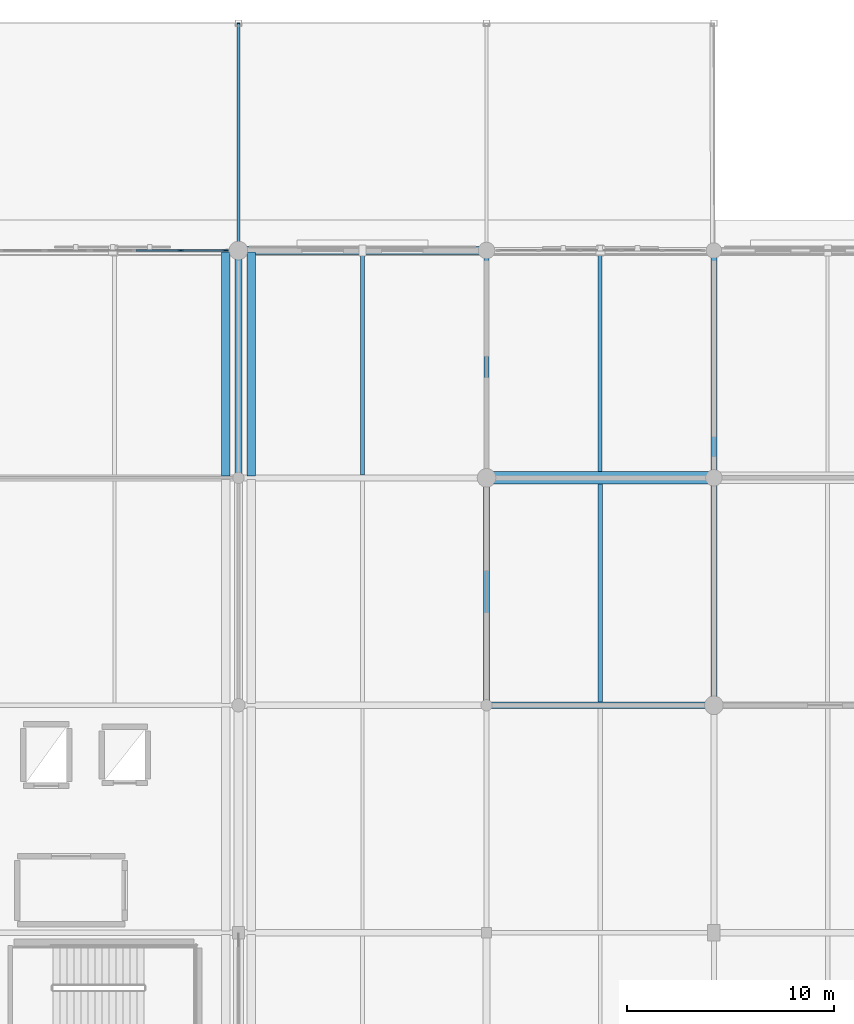
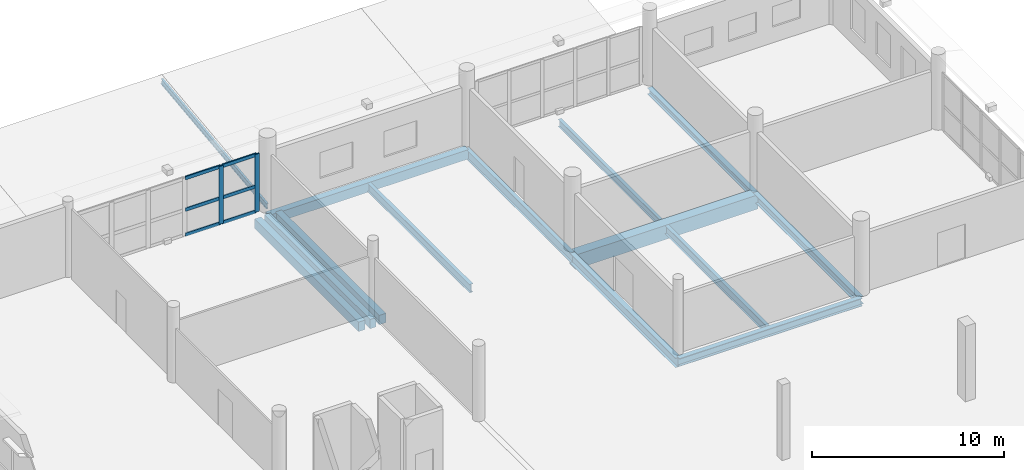
# One storey, part 69 of 143: 14 beams, 8 members, 1 element without a shape of its own.
"""IFC4 building model written with IfcOpenShell, lengths in metres."""

from ifc_helpers import new_model, si_unit, direction, frame, origin, origin_2d, place, context, subcontext, project, spatial, rectangle, i_section, extrude, material, material_profile, profile_set, type_object, element, aggregate, save


model = new_model("IFC4")

# Units and contexts
model_context = context("Model", 3, precision=1e-05, world=origin(), true_north=direction((0.0, 1.0)))
body_context = subcontext(model_context, "Body", "Model", "MODEL_VIEW")
ifc_project = project(units=[si_unit("LENGTHUNIT", "METRE"), si_unit("AREAUNIT", "SQUARE_METRE"), si_unit("VOLUMEUNIT", "CUBIC_METRE"), si_unit("PLANEANGLEUNIT", "RADIAN"), si_unit("MASSUNIT", "GRAM", prefix="KILO")], contexts=[model_context])

# Site, building, storey
site_placement = place(None, origin())
site = spatial("IfcSite", under=ifc_project, at=site_placement, CompositionType="ELEMENT")
building_placement = place(site_placement, origin())
building = spatial("IfcBuilding", under=site, at=building_placement, Name="Luwafu Chhajja Arena", CompositionType="ELEMENT")
storey_placement = place(building_placement, frame((0.0, 0.0, 5.39990234375)))
storey = spatial("IfcBuildingStorey", under=building, at=storey_placement, Name="L01", CompositionType="ELEMENT", Elevation=5.39990234375)

# Beams
ifc_material_1 = material(Name="Concrete C35/45", Category="concrete")
ifc_material_profile_1 = material_profile(ifc_material_1, rectangle(XDim=0.35009765625, YDim=0.60009765625, at=origin_2d()), Name="RC 350x600")
ifc_profile_set_1 = profile_set([ifc_material_profile_1], Name="Concrete C35/45")
beam_type_1 = type_object("IfcBeamType", Name="Arcade Tie Beam RC 350x600", PredefinedType="BEAM", material=ifc_profile_set_1)
beam_1_placement = place(storey_placement, frame((164.0, 110.0, -0.6298828125), z_axis=(0.0, 1.0, 0.0), x_axis=(-1.0, 0.0, 0.0)))
element("IfcBeam", 1, at=beam_1_placement, inside=storey, type_object=beam_type_1, Name="L01 Grid Beam 15/L-M", PredefinedType="BEAM", context=body_context, shape_type="SweptSolid", body=[
    extrude(rectangle(XDim=0.35009765625, YDim=0.60009765625, at=origin_2d()), origin(), (0.0, 0.0, 1.0), 11.0),
])
ifc_material_2 = material(Name="Steel S355", Category="steel")
ifc_material_profile_2 = material_profile(ifc_material_2, i_section(OverallWidth=0.1259765625, OverallDepth=0.353515625, WebThickness=0.006591796875, FlangeThickness=0.0107421875, at=origin_2d()), Name="UB 356x127x39")
ifc_profile_set_2 = profile_set([ifc_material_profile_2], Name="Steel S355")
beam_type_2 = type_object("IfcBeamType", Name="Canopy Joist UB 356x127x39", PredefinedType="JOIST", material=ifc_profile_set_2)
beam_2_placement = place(storey_placement, frame((164.0, 121.0, 0.14013671875), z_axis=(0.0, 0.993088327257, 0.11736939237), x_axis=(-1.0, 0.0, 0.0)))
element("IfcBeam", 2, at=beam_2_placement, inside=storey, type_object=beam_type_2, Name="L01 Cloister Roof Rafter 15/M-N", PredefinedType="JOIST", context=body_context, shape_type="SweptSolid", body=[
    extrude(i_section(OverallWidth=0.1259765625, OverallDepth=0.353515625, WebThickness=0.006591796875, FlangeThickness=0.0107421875, at=origin_2d()), origin(), (0.0, 0.0, 1.0), 11.07666015625),
])
ifc_material_profile_3 = material_profile(ifc_material_1, rectangle(XDim=0.60009765625, YDim=0.89990234375, at=origin_2d()), Name="RC 600x900")
ifc_profile_set_3 = profile_set([ifc_material_profile_3], Name="Concrete C35/45")
beam_type_3 = type_object("IfcBeamType", Name="Concourse Primary Girder RC 600x900", PredefinedType="BEAM", material=ifc_profile_set_3)
beam_3_placement = place(storey_placement, frame((176.0, 110.0, -0.77978515625), z_axis=(1.0, 0.0, 0.0), x_axis=(0.0, 1.0, 0.0)))
element("IfcBeam", 3, at=beam_3_placement, inside=storey, type_object=beam_type_3, Name="L01 Grid Beam 16-17/L", PredefinedType="BEAM", context=body_context, shape_type="SweptSolid", body=[
    extrude(rectangle(XDim=0.60009765625, YDim=0.89990234375, at=origin_2d()), origin(), (0.0, 0.0, 1.0), 11.0),
])
ifc_material_profile_4 = material_profile(ifc_material_2, i_section(OverallWidth=0.19140625, OverallDepth=0.4599609375, WebThickness=0.010009765625, FlangeThickness=0.01611328125, at=origin_2d()), Name="UB 457x191x82")
ifc_profile_set_4 = profile_set([ifc_material_profile_4], Name="Steel S355")
beam_type_4 = type_object("IfcBeamType", Name="Floor Joist UB 457x191x82", PredefinedType="JOIST", material=ifc_profile_set_4)
beam_4_placement = place(storey_placement, frame((181.5, 110.300048828125, -0.559814453125), z_axis=(0.0, 1.0, 0.0), x_axis=(-1.0, 0.0, 0.0)))
element("IfcBeam", 4, at=beam_4_placement, inside=storey, type_object=beam_type_4, Name="L01 Secondary Joist 16-17/L", PredefinedType="JOIST", context=body_context, shape_type="SweptSolid", body=[
    extrude(i_section(OverallWidth=0.19140625, OverallDepth=0.4599609375, WebThickness=0.010009765625, FlangeThickness=0.01611328125, at=origin_2d()), origin(), (0.0, 0.0, 1.0), 10.550048828125),
])
ifc_material_profile_5 = material_profile(ifc_material_2, i_section(OverallWidth=0.209228515625, OverallDepth=0.533203125, WebThickness=0.010009765625, FlangeThickness=0.015625, at=origin_2d()), Name="UB 533x210x92")
ifc_profile_set_5 = profile_set([ifc_material_profile_5], Name="Steel S355")
beam_type_5 = type_object("IfcBeamType", Name="Floor Joist UB 533x210x92", PredefinedType="JOIST", material=ifc_profile_set_5)
beam_5_placement = place(storey_placement, frame((170.0, 110.14990234375, -0.596435546875), z_axis=(0.0, 1.0, 0.0), x_axis=(-1.0, 0.0, 0.0)))
element("IfcBeam", 5, at=beam_5_placement, inside=storey, type_object=beam_type_5, Name="L01 Secondary Joist 15-16/L", PredefinedType="JOIST", context=body_context, shape_type="SweptSolid", body=[
    extrude(i_section(OverallWidth=0.209228515625, OverallDepth=0.533203125, WebThickness=0.010009765625, FlangeThickness=0.015625, at=origin_2d()), origin(), (0.0, 0.0, 1.0), 10.650146484375),
])
beam_6_placement = place(storey_placement, frame((181.5, 99.14990234375, -0.596435546875), z_axis=(0.0, 1.0, 0.0), x_axis=(-1.0, 0.0, 0.0)))
element("IfcBeam", 6, at=beam_6_placement, inside=storey, type_object=beam_type_5, Name="L01 Secondary Joist 16-17/K", PredefinedType="JOIST", context=body_context, shape_type="SweptSolid", body=[
    extrude(i_section(OverallWidth=0.209228515625, OverallDepth=0.533203125, WebThickness=0.010009765625, FlangeThickness=0.015625, at=origin_2d()), origin(), (0.0, 0.0, 1.0), 10.550048828125),
])

# Curtain wall, members
ifc_material_3 = material(Name="Anodised bronze aluminium", Category="aluminium")
curtain_wall_type = type_object("IfcCurtainWallType", Name="Pishtaq Monumental Portal Curtain Wall", PredefinedType="USERDEFINED", material=ifc_material_3)
curtain_wall_placement = place(storey_placement, origin())
curtain_wall = element("IfcCurtainWall", 7, at=curtain_wall_placement, inside=storey, type_object=curtain_wall_type, Name="L01 Curtain Wall CWG-L01-H13_11", ObjectType="CURTAIN WALL", PredefinedType="USERDEFINED")
ifc_material_profile_6 = material_profile(ifc_material_3, rectangle(XDim=0.080078125, YDim=0.280029296875, at=origin_2d()), Name="CWM 80x280")
ifc_profile_set_6 = profile_set([ifc_material_profile_6], Name="Anodised bronze aluminium")
member_type_1 = type_object("IfcMemberType", Name="Pishtaq Portal Mullion 80x280", PredefinedType="MULLION", material=ifc_profile_set_6)
member_1_placement = place(storey_placement, frame((161.2109375, 121.0, 0.030029296875), z_axis=(0.0, 0.0, 1.0), x_axis=(0.0, 1.0, 0.0)))
member_1 = element("IfcMember", 8, at=member_1_placement, type_object=member_type_1, Name="CW-04 mullion 5", PredefinedType="MULLION", context=body_context, shape_type="SweptSolid", body=[
    extrude(rectangle(XDim=0.080078125, YDim=0.280029296875, at=origin_2d()), origin(), (0.0, 0.0, 1.0), 3.675048828125),
])
member_2_placement = place(storey_placement, frame((163.3701171875, 121.0, 0.030029296875), z_axis=(0.0, 0.0, 1.0), x_axis=(0.0, 1.0, 0.0)))
member_2 = element("IfcMember", 9, at=member_2_placement, type_object=member_type_1, Name="CW-04 mullion 6", PredefinedType="MULLION", context=body_context, shape_type="SweptSolid", body=[
    extrude(rectangle(XDim=0.080078125, YDim=0.280029296875, at=origin_2d()), origin(), (0.0, 0.0, 1.0), 3.675048828125),
])
ifc_material_profile_7 = material_profile(ifc_material_3, rectangle(XDim=0.080078125, YDim=0.2099609375, at=origin_2d()), Name="CWT 80x210")
ifc_profile_set_7 = profile_set([ifc_material_profile_7], Name="Anodised bronze aluminium")
member_type_2 = type_object("IfcMemberType", Name="Pishtaq Portal Transom 80x210", PredefinedType="USERDEFINED", material=ifc_profile_set_7)
member_3_placement = place(storey_placement, frame((159.052001953125, 121.0, 0.070068359375), z_axis=(1.0, 0.0, 0.0), x_axis=(0.0, 1.0, 0.0)))
member_3 = element("IfcMember", 10, at=member_3_placement, type_object=member_type_2, Name="CW-04 transom 4.1", ObjectType="TRANSOM", PredefinedType="USERDEFINED", context=body_context, shape_type="SweptSolid", body=[
    extrude(rectangle(XDim=0.080078125, YDim=0.2099609375, at=origin_2d()), origin(), (0.0, 0.0, 1.0), 2.118896484375),
])
member_4_placement = place(storey_placement, frame((159.052001953125, 121.0, 1.66748046875), z_axis=(1.0, 0.0, 0.0), x_axis=(0.0, 1.0, 0.0)))
member_4 = element("IfcMember", 11, at=member_4_placement, type_object=member_type_2, Name="CW-04 transom 4.2", ObjectType="TRANSOM", PredefinedType="USERDEFINED", context=body_context, shape_type="SweptSolid", body=[
    extrude(rectangle(XDim=0.080078125, YDim=0.2099609375, at=origin_2d()), origin(), (0.0, 0.0, 1.0), 2.118896484375),
])
member_5_placement = place(storey_placement, frame((159.052001953125, 121.0, 3.6650390625), z_axis=(1.0, 0.0, 0.0), x_axis=(0.0, 1.0, 0.0)))
member_5 = element("IfcMember", 12, at=member_5_placement, type_object=member_type_2, Name="CW-04 transom 4.3", ObjectType="TRANSOM", PredefinedType="USERDEFINED", context=body_context, shape_type="SweptSolid", body=[
    extrude(rectangle(XDim=0.080078125, YDim=0.2099609375, at=origin_2d()), origin(), (0.0, 0.0, 1.0), 2.118896484375),
])
member_6_placement = place(storey_placement, frame((161.2509765625, 121.0, 0.070068359375), z_axis=(1.0, 0.0, 0.0), x_axis=(0.0, 1.0, 0.0)))
member_6 = element("IfcMember", 13, at=member_6_placement, type_object=member_type_2, Name="CW-04 transom 5.1", ObjectType="TRANSOM", PredefinedType="USERDEFINED", context=body_context, shape_type="SweptSolid", body=[
    extrude(rectangle(XDim=0.080078125, YDim=0.2099609375, at=origin_2d()), origin(), (0.0, 0.0, 1.0), 2.0791015625),
])
member_7_placement = place(storey_placement, frame((161.2509765625, 121.0, 1.66748046875), z_axis=(1.0, 0.0, 0.0), x_axis=(0.0, 1.0, 0.0)))
member_7 = element("IfcMember", 14, at=member_7_placement, type_object=member_type_2, Name="CW-04 transom 5.2", ObjectType="TRANSOM", PredefinedType="USERDEFINED", context=body_context, shape_type="SweptSolid", body=[
    extrude(rectangle(XDim=0.080078125, YDim=0.2099609375, at=origin_2d()), origin(), (0.0, 0.0, 1.0), 2.0791015625),
])
member_8_placement = place(storey_placement, frame((161.2509765625, 121.0, 3.6650390625), z_axis=(1.0, 0.0, 0.0), x_axis=(0.0, 1.0, 0.0)))
member_8 = element("IfcMember", 15, at=member_8_placement, type_object=member_type_2, Name="CW-04 transom 5.3", ObjectType="TRANSOM", PredefinedType="USERDEFINED", context=body_context, shape_type="SweptSolid", body=[
    extrude(rectangle(XDim=0.080078125, YDim=0.2099609375, at=origin_2d()), origin(), (0.0, 0.0, 1.0), 2.0791015625),
])
aggregate(curtain_wall, [member_1, member_2, member_3, member_4, member_5, member_6, member_7, member_8])

# Beams
ifc_material_profile_8 = material_profile(ifc_material_1, rectangle(XDim=0.39990234375, YDim=0.60009765625, at=origin_2d()), Name="RC 400x600")
ifc_profile_set_8 = profile_set([ifc_material_profile_8], Name="Concrete C35/45")
beam_type_6 = type_object("IfcBeamType", Name="Podium Perimeter Spandrel RC 400x600", PredefinedType="SPANDREL", material=ifc_profile_set_8)
beam_7_placement = place(storey_placement, frame((164.0, 121.0, -0.6298828125), z_axis=(1.0, 0.0, 0.0), x_axis=(0.0, 1.0, 0.0)))
element("IfcBeam", 16, at=beam_7_placement, inside=storey, type_object=beam_type_6, Name="L01 Grid Beam 15-16/M", PredefinedType="SPANDREL", context=body_context, shape_type="SweptSolid", body=[
    extrude(rectangle(XDim=0.39990234375, YDim=0.60009765625, at=origin_2d()), origin(), (0.0, 0.0, 1.0), 12.0),
])
for number, where, z_axis, x_axis, name in (
    (17, (163.3798828125, 110.080078125, -0.6298828125), (0.0, 1.0, 0.0), (-1.0, 0.0, 0.0), "L01 Movement Joint MJ2W Seat Girder 10"),
    (18, (164.6201171875, 110.080078125, -0.6298828125), (0.0, 1.0, 0.0), (-1.0, 0.0, 0.0), "L01 Movement Joint MJ2E Seat Girder 10"),
):
    element("IfcBeam", number, at=place(storey_placement, frame(where, z_axis=z_axis, x_axis=x_axis)), inside=storey, type_object=beam_type_6, Name=name, PredefinedType="SPANDREL", context=body_context, shape_type="SweptSolid", body=[
        extrude(rectangle(XDim=0.39990234375, YDim=0.60009765625, at=origin_2d()), origin(), (0.0, 0.0, 1.0), 10.83984375),
    ])
ifc_material_profile_9 = material_profile(ifc_material_2, i_section(OverallWidth=0.300048828125, OverallDepth=0.5, WebThickness=0.014404296875, FlangeThickness=0.028076171875, at=origin_2d()), Name="HEB 500")
ifc_profile_set_9 = profile_set([ifc_material_profile_9], Name="Steel S355")
beam_type_7 = type_object("IfcBeamType", Name="Steel Atrium Tie Girder HEB 500", PredefinedType="BEAM", material=ifc_profile_set_9)
for number, where, z_axis, x_axis, name in (
    (19, (176.0, 99.0, -0.579833984375), (1.0, 0.0, 0.0), (0.0, 1.0, 0.0), "L01 Grid Beam 16-17/K"),
    (20, (187.0, 99.0, -0.579833984375), (0.0, 1.0, 0.0), (-1.0, 0.0, 0.0), "L01 Grid Beam 17/K-L"),
):
    element("IfcBeam", number, at=place(storey_placement, frame(where, z_axis=z_axis, x_axis=x_axis)), inside=storey, type_object=beam_type_7, Name=name, PredefinedType="BEAM", context=body_context, shape_type="SweptSolid", body=[
        extrude(i_section(OverallWidth=0.300048828125, OverallDepth=0.5, WebThickness=0.014404296875, FlangeThickness=0.028076171875, at=origin_2d()), origin(), (0.0, 0.0, 1.0), 11.0),
    ])
ifc_material_profile_10 = material_profile(ifc_material_2, i_section(OverallWidth=0.30712890625, OverallDepth=0.6201171875, WebThickness=0.01416015625, FlangeThickness=0.023681640625, at=origin_2d()), Name="UB 610x305x179")
ifc_profile_set_10 = profile_set([ifc_material_profile_10], Name="Steel S355")
beam_type_8 = type_object("IfcBeamType", Name="Steel Hospitality Girder UB 610x305x179", PredefinedType="BEAM", material=ifc_profile_set_10)
beam_8_placement = place(storey_placement, frame((176.0, 99.0, -0.639892578125), z_axis=(0.0, 1.0, 0.0), x_axis=(-1.0, 0.0, 0.0)))
element("IfcBeam", 21, at=beam_8_placement, inside=storey, type_object=beam_type_8, Name="L01 Grid Beam 16/K-L", PredefinedType="BEAM", context=body_context, shape_type="SweptSolid", body=[
    extrude(i_section(OverallWidth=0.30712890625, OverallDepth=0.6201171875, WebThickness=0.01416015625, FlangeThickness=0.023681640625, at=origin_2d()), origin(), (0.0, 0.0, 1.0), 11.0),
])
ifc_material_profile_11 = material_profile(ifc_material_2, i_section(OverallWidth=0.22900390625, OverallDepth=0.6123046875, WebThickness=0.011962890625, FlangeThickness=0.01953125, at=origin_2d()), Name="UB 610x229x125")
ifc_profile_set_11 = profile_set([ifc_material_profile_11], Name="Steel S355")
beam_type_9 = type_object("IfcBeamType", Name="Steel Mezzanine Girder UB 610x229x125", PredefinedType="BEAM", material=ifc_profile_set_11)
beam_9_placement = place(storey_placement, frame((176.0, 110.0, -0.635986328125), z_axis=(0.0, 1.0, 0.0), x_axis=(-1.0, 0.0, 0.0)))
element("IfcBeam", 22, at=beam_9_placement, inside=storey, type_object=beam_type_9, Name="L01 Grid Beam 16/L-M", PredefinedType="BEAM", context=body_context, shape_type="SweptSolid", body=[
    extrude(i_section(OverallWidth=0.22900390625, OverallDepth=0.6123046875, WebThickness=0.011962890625, FlangeThickness=0.01953125, at=origin_2d()), origin(), (0.0, 0.0, 1.0), 11.0),
])
ifc_material_profile_12 = material_profile(ifc_material_2, i_section(OverallWidth=0.300048828125, OverallDepth=0.39990234375, WebThickness=0.013427734375, FlangeThickness=0.02392578125, at=origin_2d()), Name="HEB 400")
ifc_profile_set_12 = profile_set([ifc_material_profile_12], Name="Steel S355")
beam_type_10 = type_object("IfcBeamType", Name="Steel Rigging Grid Beam HEB 400", PredefinedType="BEAM", material=ifc_profile_set_12)
beam_10_placement = place(storey_placement, frame((187.0, 110.0, -0.52978515625), z_axis=(0.0, 1.0, 0.0), x_axis=(-1.0, 0.0, 0.0)))
element("IfcBeam", 23, at=beam_10_placement, inside=storey, type_object=beam_type_10, Name="L01 Grid Beam 17/L-M", PredefinedType="BEAM", context=body_context, shape_type="SweptSolid", body=[
    extrude(i_section(OverallWidth=0.300048828125, OverallDepth=0.39990234375, WebThickness=0.013427734375, FlangeThickness=0.02392578125, at=origin_2d()), origin(), (0.0, 0.0, 1.0), 11.0),
])

save(model, "model.ifc")
